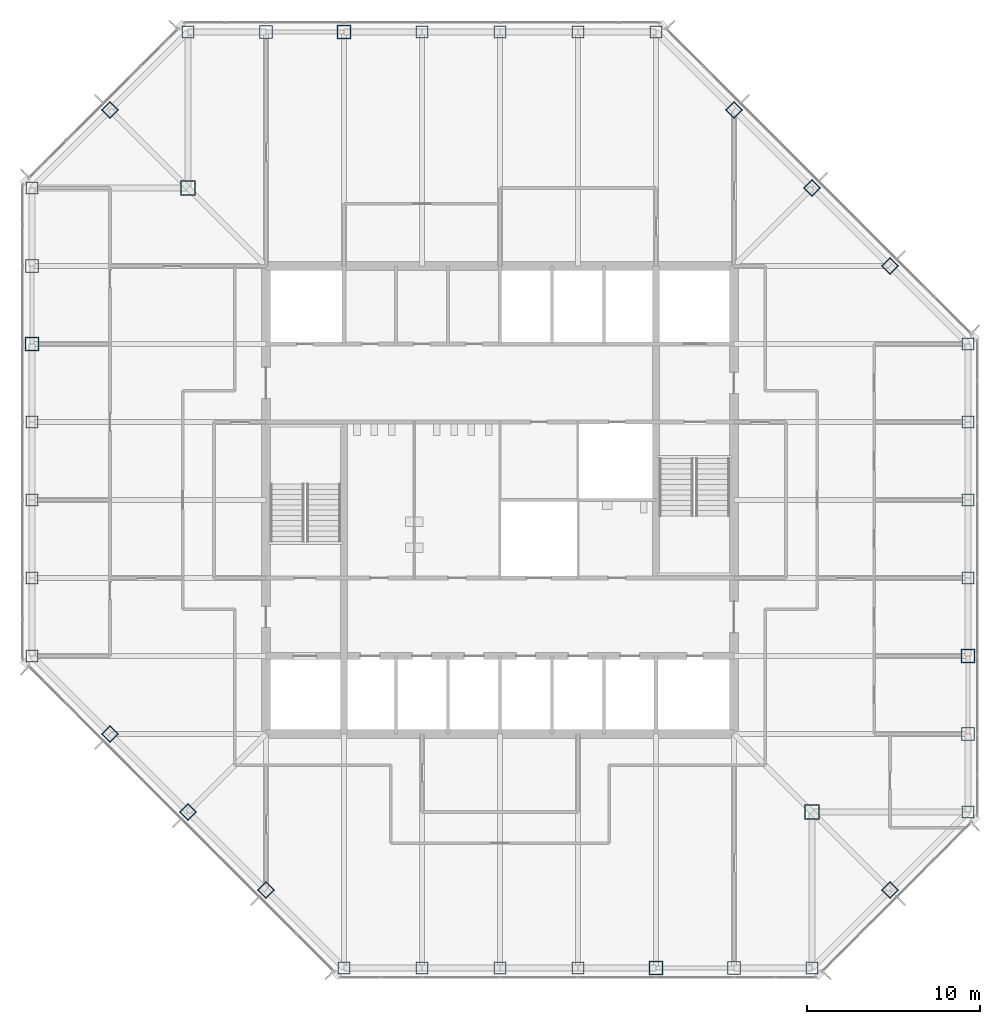
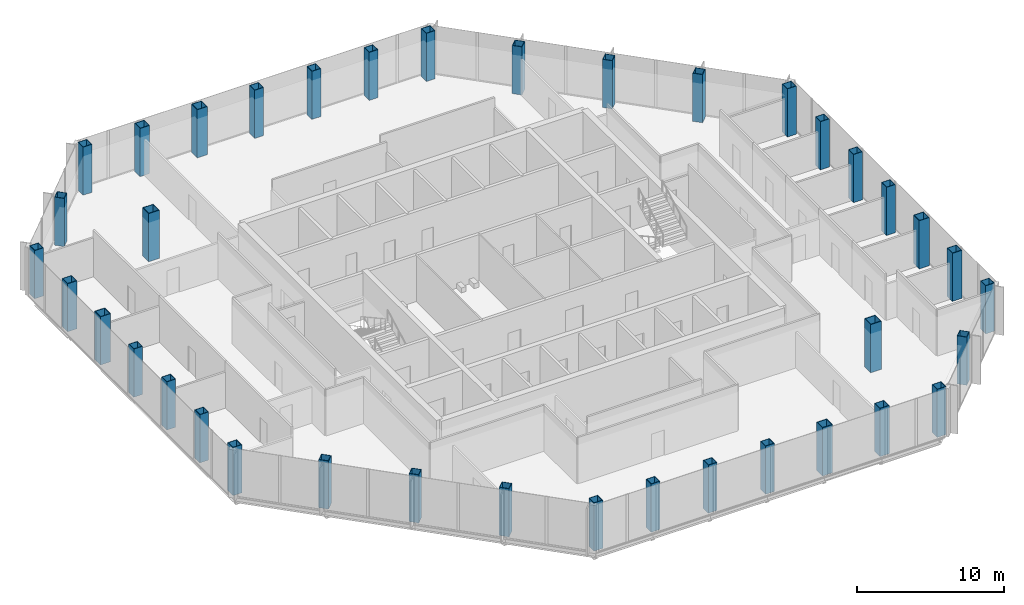
# One storey, part 1 of 13: 38 columns.
"""IFC4 building model written with IfcOpenShell, lengths in metres."""

from ifc_helpers import new_model, si_unit, direction, frame, origin, origin_2d, place, context, subcontext, project, spatial, hollow_rectangle, extrude, material, material_profile, profile_set, type_object, element, save


model = new_model("IFC4")

# Units and contexts
model_context = context("Model", 3, precision=1e-05, world=origin(), true_north=direction((0.0, 1.0)))
body_context = subcontext(model_context, "Body", "Model", "MODEL_VIEW")
ifc_project = project(units=[si_unit("LENGTHUNIT", "METRE"), si_unit("AREAUNIT", "SQUARE_METRE"), si_unit("VOLUMEUNIT", "CUBIC_METRE"), si_unit("PLANEANGLEUNIT", "RADIAN"), si_unit("MASSUNIT", "GRAM", prefix="KILO")], contexts=[model_context])

# Site, building, storey
site_placement = place(None, origin())
site = spatial("IfcSite", under=ifc_project, at=site_placement, CompositionType="ELEMENT")
building_placement = place(site_placement, origin())
building = spatial("IfcBuilding", under=site, at=building_placement, Name="Corais Broadcast Tower", CompositionType="ELEMENT")
storey_placement = place(building_placement, frame((0.0, 0.0, 175.60009765625)))
storey = spatial("IfcBuildingStorey", under=building, at=storey_placement, Name="L40", CompositionType="ELEMENT", Elevation=175.60009765625)

# Columns
ifc_material_1 = material(Name="Steel ASTM A572 Grade 50", Category="steel")
ifc_material_profile_1 = material_profile(ifc_material_1, hollow_rectangle(XDim=0.699951171875, YDim=0.699951171875, WallThickness=0.035888671875, at=origin_2d()), Name="BOX 700x700x36")
ifc_profile_set_1 = profile_set([ifc_material_profile_1], Name="Steel ASTM A572 Grade 50")
column_type_1 = type_object("IfcColumnType", Name="Column BOX 700x700x36", PredefinedType="COLUMN", material=ifc_profile_set_1)
for number, where, z_axis, x_axis, name in (
    (1, (18.0, 0.0, 0.0), (0.0, 0.0, 1.0), (1.0, 0.0, 0.0), "C5 A/7"),
    (2, (22.5, 0.0, 0.0), (0.0, 0.0, 1.0), (1.0, 0.0, 0.0), "C5 A/8"),
    (3, (27.0, 0.0, 0.0), (0.0, 0.0, 1.0), (1.0, 0.0, 0.0), "C5 A/9"),
    (4, (31.5, 0.0, 0.0), (0.0, 0.0, 1.0), (1.0, 0.0, 0.0), "C5 A/10"),
    (5, (45.0, 0.0, 0.0), (0.0, 0.0, 1.0), (1.0, 0.0, 0.0), "C5 A/13"),
    (6, (54.0, 9.0, 0.0), (0.0, 0.0, 1.0), (1.0, 0.0, 0.0), "C5 C/15"),
    (7, (54.0, 22.5, 0.0), (0.0, 0.0, 1.0), (1.0, 0.0, 0.0), "C5 F/15"),
    (8, (54.0, 27.0, 0.0), (0.0, 0.0, 1.0), (1.0, 0.0, 0.0), "C5 G/15"),
    (9, (54.0, 31.5, 0.0), (0.0, 0.0, 1.0), (1.0, 0.0, 0.0), "C5 H/15"),
    (10, (54.0, 36.0, 0.0), (0.0, 0.0, 1.0), (1.0, 0.0, 0.0), "C5 J/15"),
    (11, (36.0, 54.0, 0.0), (0.0, 0.0, 1.0), (1.0, 0.0, 0.0), "C5 N/11"),
    (12, (31.5, 54.0, 0.0), (0.0, 0.0, 1.0), (1.0, 0.0, 0.0), "C5 N/10"),
    (13, (27.0, 54.0, 0.0), (0.0, 0.0, 1.0), (1.0, 0.0, 0.0), "C5 N/9"),
    (14, (22.5, 54.0, 0.0), (0.0, 0.0, 1.0), (1.0, 0.0, 0.0), "C5 N/8"),
    (15, (9.0, 54.0, 0.0), (0.0, 0.0, 1.0), (1.0, 0.0, 0.0), "C5 N/5"),
    (16, (0.0, 45.0, 0.0), (0.0, 0.0, 1.0), (1.0, 0.0, 0.0), "C5 L/3"),
    (17, (0.0, 31.5, 0.0), (0.0, 0.0, 1.0), (1.0, 0.0, 0.0), "C5 H/3"),
    (18, (0.0, 27.0, 0.0), (0.0, 0.0, 1.0), (1.0, 0.0, 0.0), "C5 G/3"),
    (19, (0.0, 22.5, 0.0), (0.0, 0.0, 1.0), (1.0, 0.0, 0.0), "C5 F/3"),
    (20, (0.0, 18.0, 0.0), (0.0, 0.0, 1.0), (1.0, 0.0, 0.0), "C5 E/3"),
    (21, (13.5, 4.5, 0.0), (0.0, 0.0, 1.0), (0.707106781187, 0.707106781187, 0.0), "C5 B/6"),
    (22, (9.0, 9.0, 0.0), (0.0, 0.0, 1.0), (0.707106781187, 0.707106781187, 0.0), "C5 C/5"),
    (23, (4.5, 13.5, 0.0), (0.0, 0.0, 1.0), (0.707106781187, 0.707106781187, 0.0), "C5 D/4"),
    (24, (49.5, 4.5, 0.0), (0.0, 0.0, 1.0), (0.707106781187, 0.707106781187, 0.0), "C5 B/14"),
    (25, (49.5, 40.5, 0.0), (0.0, 0.0, 1.0), (0.707106781187, 0.707106781187, 0.0), "C5 K/14"),
    (26, (45.0, 45.0, 0.0), (0.0, 0.0, 1.0), (0.707106781187, 0.707106781187, 0.0), "C5 L/13"),
    (27, (40.5, 49.5, 0.0), (0.0, 0.0, 1.0), (0.707106781187, 0.707106781187, 0.0), "C5 M/12"),
    (28, (4.5, 49.5, 0.0), (0.0, 0.0, 1.0), (0.707106781187, 0.707106781187, 0.0), "C5 M/4"),
):
    element("IfcColumn", number, at=place(storey_placement, frame(where, z_axis=z_axis, x_axis=x_axis)), inside=storey, type_object=column_type_1, Name=name, PredefinedType="COLUMN", context=body_context, shape_type="SweptSolid", body=[
        extrude(hollow_rectangle(XDim=0.699951171875, YDim=0.699951171875, WallThickness=0.035888671875, at=origin_2d()), origin(), (0.0, 0.0, 1.0), 4.0),
    ])
ifc_material_2 = material(Name="Steel ASTM A572 Grade 50", Category="steel")
ifc_material_profile_2 = material_profile(ifc_material_2, hollow_rectangle(XDim=0.75, YDim=0.75, WallThickness=0.0400390625, at=origin_2d()), Name="BOX 750x750x40")
ifc_profile_set_2 = profile_set([ifc_material_profile_2], Name="Steel ASTM A572 Grade 50")
column_type_2 = type_object("IfcColumnType", Name="Column BOX 750x750x40", PredefinedType="COLUMN", material=ifc_profile_set_2)
for number, where, z_axis, x_axis, name in (
    (29, (40.5, 0.0, 0.0), (0.0, 0.0, 1.0), (1.0, 0.0, 0.0), "C4 A/12"),
    (30, (54.0, 13.5, 0.0), (0.0, 0.0, 1.0), (1.0, 0.0, 0.0), "C4 D/15"),
    (31, (13.5, 54.0, 0.0), (0.0, 0.0, 1.0), (1.0, 0.0, 0.0), "C4 N/6"),
    (32, (0.0, 40.5, 0.0), (0.0, 0.0, 1.0), (1.0, 0.0, 0.0), "C4 K/3"),
):
    element("IfcColumn", number, at=place(storey_placement, frame(where, z_axis=z_axis, x_axis=x_axis)), inside=storey, type_object=column_type_2, Name=name, PredefinedType="COLUMN", context=body_context, shape_type="SweptSolid", body=[
        extrude(hollow_rectangle(XDim=0.75, YDim=0.75, WallThickness=0.0400390625, at=origin_2d()), origin(), (0.0, 0.0, 1.0), 4.0),
    ])
ifc_material_3 = material(Name="Steel ASTM A572 Grade 50", Category="steel")
ifc_material_profile_3 = material_profile(ifc_material_3, hollow_rectangle(XDim=0.800048828125, YDim=0.800048828125, WallThickness=0.044921875, at=origin_2d()), Name="BOX 800x800x45")
ifc_profile_set_3 = profile_set([ifc_material_profile_3], Name="Steel ASTM A572 Grade 50")
column_type_3 = type_object("IfcColumnType", Name="Column BOX 800x800x45", PredefinedType="COLUMN", material=ifc_profile_set_3)
for number, where, z_axis, x_axis, name in (
    (33, (36.0, 0.0, 0.0), (0.0, 0.0, 1.0), (1.0, 0.0, 0.0), "C3 A/11"),
    (34, (54.0, 18.0, 0.0), (0.0, 0.0, 1.0), (1.0, 0.0, 0.0), "C3 E/15"),
    (35, (18.0, 54.0, 0.0), (0.0, 0.0, 1.0), (1.0, 0.0, 0.0), "C3 N/7"),
    (36, (0.0, 36.0, 0.0), (0.0, 0.0, 1.0), (1.0, 0.0, 0.0), "C3 J/3"),
):
    element("IfcColumn", number, at=place(storey_placement, frame(where, z_axis=z_axis, x_axis=x_axis)), inside=storey, type_object=column_type_3, Name=name, PredefinedType="COLUMN", context=body_context, shape_type="SweptSolid", body=[
        extrude(hollow_rectangle(XDim=0.800048828125, YDim=0.800048828125, WallThickness=0.044921875, at=origin_2d()), origin(), (0.0, 0.0, 1.0), 4.0),
    ])
ifc_material_4 = material(Name="Steel ASTM A572 Grade 50", Category="steel")
ifc_material_profile_4 = material_profile(ifc_material_4, hollow_rectangle(XDim=0.85009765625, YDim=0.85009765625, WallThickness=0.050048828125, at=origin_2d()), Name="BOX 850x850x50")
ifc_profile_set_4 = profile_set([ifc_material_profile_4], Name="Steel ASTM A572 Grade 50")
column_type_4 = type_object("IfcColumnType", Name="Column BOX 850x850x50", PredefinedType="COLUMN", material=ifc_profile_set_4)
for number, where, z_axis, x_axis, name in (
    (37, (45.0, 9.0, 0.0), (0.0, 0.0, 1.0), (1.0, 0.0, 0.0), "C1 C/13"),
    (38, (9.0, 45.0, 0.0), (0.0, 0.0, 1.0), (1.0, 0.0, 0.0), "C1 L/5"),
):
    element("IfcColumn", number, at=place(storey_placement, frame(where, z_axis=z_axis, x_axis=x_axis)), inside=storey, type_object=column_type_4, Name=name, PredefinedType="COLUMN", context=body_context, shape_type="SweptSolid", body=[
        extrude(hollow_rectangle(XDim=0.85009765625, YDim=0.85009765625, WallThickness=0.050048828125, at=origin_2d()), origin(), (0.0, 0.0, 1.0), 4.0),
    ])

save(model, "model.ifc")
